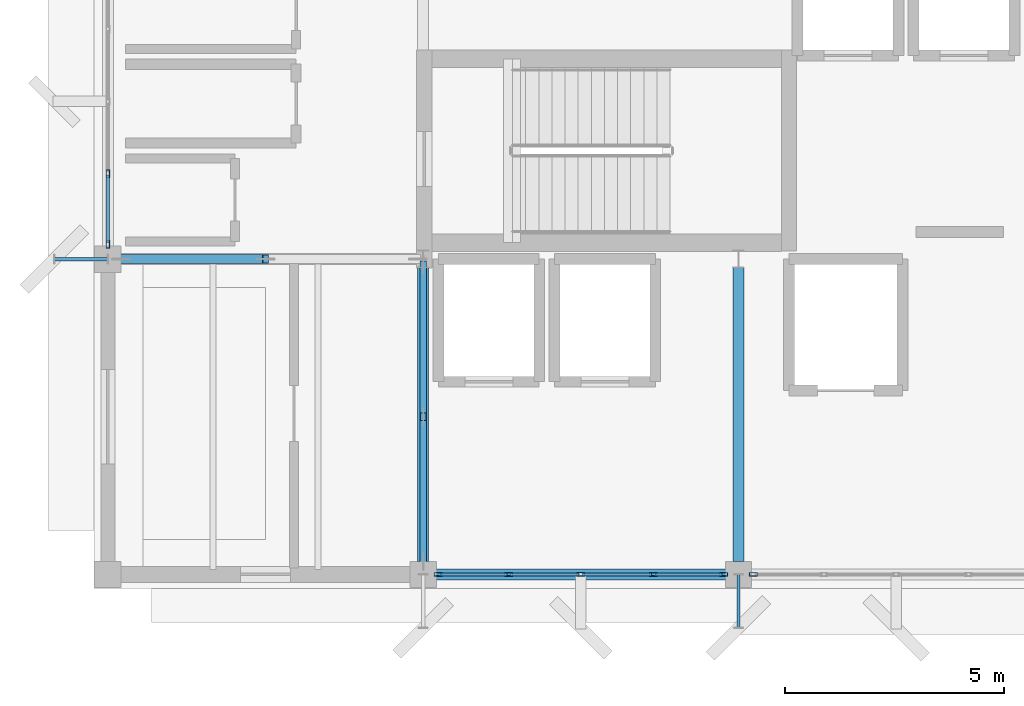
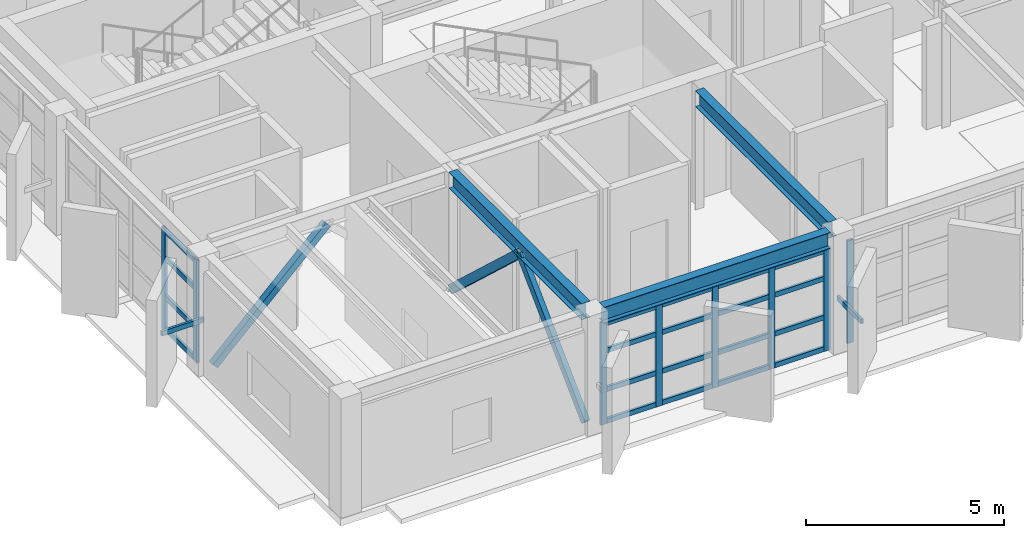
# One storey, part 3 of 16: 33 members, 3 beams, 3 elements without a shape of their own.
"""IFC4 building model written with IfcOpenShell, lengths in metres."""

from ifc_helpers import new_model, si_unit, direction, frame, origin, origin_2d, place, context, subcontext, project, spatial, hollow_rectangle, i_section, extrude, material, layer, layer_set, material_profile, profile_set, type_object, element, aggregate, save


model = new_model("IFC4")

# Units and contexts
model_context = context("Model", 3, precision=1e-05, world=origin(), true_north=direction((0.0, 1.0)))
body_context = subcontext(model_context, "Body", "Model", "MODEL_VIEW")
ifc_project = project(units=[si_unit("LENGTHUNIT", "METRE"), si_unit("AREAUNIT", "SQUARE_METRE"), si_unit("VOLUMEUNIT", "CUBIC_METRE"), si_unit("PLANEANGLEUNIT", "RADIAN"), si_unit("MASSUNIT", "GRAM", prefix="KILO")], contexts=[model_context])

# Site, building, storey
site_placement = place(None, origin())
site = spatial("IfcSite", under=ifc_project, at=site_placement, CompositionType="ELEMENT")
building_placement = place(site_placement, origin())
building = spatial("IfcBuilding", under=site, at=building_placement, Name="Kandorven Conservatory and Botanical Research Centre", CompositionType="ELEMENT")
storey_placement = place(building_placement, frame((0.0, 0.0, 44.39990234375)))
storey = spatial("IfcBuildingStorey", under=building, at=storey_placement, Name="L11", CompositionType="ELEMENT", Elevation=44.39990234375)

# Beams
ifc_material_1 = material(Name="Steel S355 (IS 2062 E350)", Category="steel")
ifc_material_profile_1 = material_profile(ifc_material_1, i_section(OverallWidth=0.25, OverallDepth=0.5, WebThickness=0.010009765625, FlangeThickness=0.0146484375, at=origin_2d()))
ifc_profile_set_1 = profile_set([ifc_material_profile_1], Name="Steel S355 (IS 2062 E350)")
beam_type = type_object("IfcBeamType", Name="Beam_FG-02", PredefinedType="USERDEFINED", material=ifc_profile_set_1)
beam_placement = place(storey_placement, frame((13.489990234375, 6.0, 3.440185546875), z_axis=(1.0, 0.0, 0.0), x_axis=(0.0, 1.0, 0.0)))
element("IfcBeam", 1, at=beam_placement, inside=storey, type_object=beam_type, Name="Primary girder FG-02 TWR L11", ObjectType="GIRDER", PredefinedType="USERDEFINED", context=body_context, shape_type="SweptSolid", body=[
    extrude(i_section(OverallWidth=0.25, OverallDepth=0.5, WebThickness=0.010009765625, FlangeThickness=0.0146484375, at=origin_2d()), origin(), (0.0, 0.0, 1.0), 6.6201171875),
])
for number, where, z_axis, x_axis, name in (
    (2, (13.199951171875, 6.2900390625, 3.440185546875), (0.0, 1.0, 0.0), (-1.0, 0.0, 0.0), "Primary girder FG-02 TWR L11"),
    (3, (20.39990234375, 6.2900390625, 3.440185546875), (0.0, 1.0, 0.0), (-1.0, 0.0, 0.0), "Primary girder FG-02 TWR L11"),
):
    element("IfcBeam", number, at=place(storey_placement, frame(where, z_axis=z_axis, x_axis=x_axis)), inside=storey, type_object=beam_type, Name=name, ObjectType="GIRDER", PredefinedType="USERDEFINED", context=body_context, shape_type="SweptSolid", body=[
        extrude(i_section(OverallWidth=0.25, OverallDepth=0.5, WebThickness=0.010009765625, FlangeThickness=0.0146484375, at=origin_2d()), origin(), (0.0, 0.0, 1.0), 6.719970703125),
    ])

# Curtain wall, members
ifc_material_2 = material(Name="Bronze anodised thermally broken aluminium", Category="aluminium")
ifc_layer = layer(ifc_material_2, 0.179931640625)
ifc_layer_set = layer_set([ifc_layer], Name="Bronze anodised thermally broken aluminium")
curtain_wall_type = type_object("IfcCurtainWallType", Name="CW_Unitised", PredefinedType="USERDEFINED", material=ifc_layer_set)
curtain_wall_1_placement = place(storey_placement, origin())
curtain_wall_1 = element("IfcCurtainWall", 4, at=curtain_wall_1_placement, inside=storey, type_object=curtain_wall_type, Name="Tower laboratory curtain wall CW-TWR-S-L11-2", ObjectType="UNITISED GLAZING", PredefinedType="USERDEFINED")
ifc_material_3 = material(Name="Bronze anodised thermally broken aluminium", Category="aluminium")
ifc_material_profile_2 = material_profile(ifc_material_3, hollow_rectangle(XDim=0.080078125, YDim=0.179931640625, WallThickness=0.006103515625, at=origin_2d()))
ifc_profile_set_2 = profile_set([ifc_material_profile_2], Name="Bronze anodised thermally broken aluminium")
member_type_1 = type_object("IfcMemberType", Name="CW_Mullion", PredefinedType="MULLION", material=ifc_profile_set_2)
member_1_placement = place(storey_placement, frame((13.5400390625, 6.0, 0.0), z_axis=(0.0, 0.0, 1.0), x_axis=(0.0, 1.0, 0.0)))
member_1 = element("IfcMember", 5, at=member_1_placement, type_object=member_type_1, Name="CW-01 mullion 1", PredefinedType="MULLION", context=body_context, shape_type="SweptSolid", body=[
    extrude(hollow_rectangle(XDim=0.080078125, YDim=0.179931640625, WallThickness=0.006103515625, at=origin_2d()), origin(), (0.0, 0.0, 1.0), 3.170166015625),
])
member_2_placement = place(storey_placement, frame((15.14990234375, 6.0, 0.0), z_axis=(0.0, 0.0, 1.0), x_axis=(0.0, 1.0, 0.0)))
member_2 = element("IfcMember", 6, at=member_2_placement, type_object=member_type_1, Name="CW-01 mullion 2", PredefinedType="MULLION", context=body_context, shape_type="SweptSolid", body=[
    extrude(hollow_rectangle(XDim=0.080078125, YDim=0.179931640625, WallThickness=0.006103515625, at=origin_2d()), origin(), (0.0, 0.0, 1.0), 3.170166015625),
])
member_3_placement = place(storey_placement, frame((16.800048828125, 6.0, 0.0), z_axis=(0.0, 0.0, 1.0), x_axis=(0.0, 1.0, 0.0)))
member_3 = element("IfcMember", 7, at=member_3_placement, type_object=member_type_1, Name="CW-01 mullion 3", PredefinedType="MULLION", context=body_context, shape_type="SweptSolid", body=[
    extrude(hollow_rectangle(XDim=0.080078125, YDim=0.179931640625, WallThickness=0.006103515625, at=origin_2d()), origin(), (0.0, 0.0, 1.0), 3.170166015625),
])
member_4_placement = place(storey_placement, frame((18.449951171875, 6.0, 0.0), z_axis=(0.0, 0.0, 1.0), x_axis=(0.0, 1.0, 0.0)))
member_4 = element("IfcMember", 8, at=member_4_placement, type_object=member_type_1, Name="CW-01 mullion 4", PredefinedType="MULLION", context=body_context, shape_type="SweptSolid", body=[
    extrude(hollow_rectangle(XDim=0.080078125, YDim=0.179931640625, WallThickness=0.006103515625, at=origin_2d()), origin(), (0.0, 0.0, 1.0), 3.170166015625),
])
member_5_placement = place(storey_placement, frame((20.06005859375, 6.0, 0.0), z_axis=(0.0, 0.0, 1.0), x_axis=(0.0, 1.0, 0.0)))
member_5 = element("IfcMember", 9, at=member_5_placement, type_object=member_type_1, Name="CW-01 mullion 5", PredefinedType="MULLION", context=body_context, shape_type="SweptSolid", body=[
    extrude(hollow_rectangle(XDim=0.080078125, YDim=0.179931640625, WallThickness=0.006103515625, at=origin_2d()), origin(), (0.0, 0.0, 1.0), 3.170166015625),
])

# Curtain wall, member
curtain_wall_2_placement = place(storey_placement, origin())
curtain_wall_2 = element("IfcCurtainWall", 10, at=curtain_wall_2_placement, inside=storey, type_object=curtain_wall_type, Name="Tower laboratory curtain wall CW-TWR-S-L11-3", ObjectType="UNITISED GLAZING", PredefinedType="USERDEFINED")
member_6_placement = place(storey_placement, frame((20.739990234375, 6.0, 0.0), z_axis=(0.0, 0.0, 1.0), x_axis=(0.0, 1.0, 0.0)))
member_6 = element("IfcMember", 11, at=member_6_placement, type_object=member_type_1, Name="CW-01 mullion 1", PredefinedType="MULLION", context=body_context, shape_type="SweptSolid", body=[
    extrude(hollow_rectangle(XDim=0.080078125, YDim=0.179931640625, WallThickness=0.006103515625, at=origin_2d()), origin(), (0.0, 0.0, 1.0), 3.170166015625),
])
aggregate(curtain_wall_2, [member_6])

# Curtain wall, members
curtain_wall_3_placement = place(storey_placement, origin())
curtain_wall_3 = element("IfcCurtainWall", 12, at=curtain_wall_3_placement, inside=storey, type_object=curtain_wall_type, Name="Tower laboratory curtain wall CW-TWR-W-L11-2", ObjectType="UNITISED GLAZING", PredefinedType="USERDEFINED")
member_7_placement = place(storey_placement, frame((6.0, 13.5400390625, 0.0), z_axis=(0.0, 0.0, 1.0), x_axis=(-1.0, 0.0, 0.0)))
member_7 = element("IfcMember", 13, at=member_7_placement, type_object=member_type_1, Name="CW-01 mullion 1", PredefinedType="MULLION", context=body_context, shape_type="SweptSolid", body=[
    extrude(hollow_rectangle(XDim=0.080078125, YDim=0.179931640625, WallThickness=0.006103515625, at=origin_2d()), origin(), (0.0, 0.0, 1.0), 3.170166015625),
])
member_8_placement = place(storey_placement, frame((6.0, 15.14990234375, 0.0), z_axis=(0.0, 0.0, 1.0), x_axis=(-1.0, 0.0, 0.0)))
member_8 = element("IfcMember", 14, at=member_8_placement, type_object=member_type_1, Name="CW-01 mullion 2", PredefinedType="MULLION", context=body_context, shape_type="SweptSolid", body=[
    extrude(hollow_rectangle(XDim=0.080078125, YDim=0.179931640625, WallThickness=0.006103515625, at=origin_2d()), origin(), (0.0, 0.0, 1.0), 3.170166015625),
])

# Member
ifc_material_4 = material(Name="Bronze anodised thermally broken aluminium", Category="aluminium")
ifc_material_profile_3 = material_profile(ifc_material_4, hollow_rectangle(XDim=0.074951171875, YDim=0.14990234375, WallThickness=0.006103515625, at=origin_2d()))
ifc_profile_set_3 = profile_set([ifc_material_profile_3], Name="Bronze anodised thermally broken aluminium")
member_type_2 = type_object("IfcMemberType", Name="CW_Transom", PredefinedType="USERDEFINED", material=ifc_profile_set_3)
member_9_placement = place(storey_placement, frame((13.580078125, 6.0, 0.0751953125), z_axis=(1.0, 0.0, 0.0), x_axis=(0.0, 1.0, 0.0)))
member_9 = element("IfcMember", 15, at=member_9_placement, type_object=member_type_2, Name="CW-01 transom 1.1", ObjectType="TRANSOM", PredefinedType="USERDEFINED", context=body_context, shape_type="SweptSolid", body=[
    extrude(hollow_rectangle(XDim=0.074951171875, YDim=0.14990234375, WallThickness=0.006103515625, at=origin_2d()), origin(), (0.0, 0.0, 1.0), 1.530029296875),
])

member_10_placement = place(storey_placement, frame((13.580078125, 6.0, 1.050048828125), z_axis=(1.0, 0.0, 0.0), x_axis=(0.0, 1.0, 0.0)))
member_10 = element("IfcMember", 16, at=member_10_placement, type_object=member_type_2, Name="CW-01 transom 1.2", ObjectType="TRANSOM", PredefinedType="USERDEFINED", context=body_context, shape_type="SweptSolid", body=[
    extrude(hollow_rectangle(XDim=0.074951171875, YDim=0.14990234375, WallThickness=0.006103515625, at=origin_2d()), origin(), (0.0, 0.0, 1.0), 1.530029296875),
])

member_11_placement = place(storey_placement, frame((13.580078125, 6.0, 2.25), z_axis=(1.0, 0.0, 0.0), x_axis=(0.0, 1.0, 0.0)))
member_11 = element("IfcMember", 17, at=member_11_placement, type_object=member_type_2, Name="CW-01 transom 1.3", ObjectType="TRANSOM", PredefinedType="USERDEFINED", context=body_context, shape_type="SweptSolid", body=[
    extrude(hollow_rectangle(XDim=0.074951171875, YDim=0.14990234375, WallThickness=0.006103515625, at=origin_2d()), origin(), (0.0, 0.0, 1.0), 1.530029296875),
])

member_12_placement = place(storey_placement, frame((13.580078125, 6.0, 3.09521484375), z_axis=(1.0, 0.0, 0.0), x_axis=(0.0, 1.0, 0.0)))
member_12 = element("IfcMember", 18, at=member_12_placement, type_object=member_type_2, Name="CW-01 transom 1.4", ObjectType="TRANSOM", PredefinedType="USERDEFINED", context=body_context, shape_type="SweptSolid", body=[
    extrude(hollow_rectangle(XDim=0.074951171875, YDim=0.14990234375, WallThickness=0.006103515625, at=origin_2d()), origin(), (0.0, 0.0, 1.0), 1.530029296875),
])

member_13_placement = place(storey_placement, frame((15.18994140625, 6.0, 0.0751953125), z_axis=(1.0, 0.0, 0.0), x_axis=(0.0, 1.0, 0.0)))
member_13 = element("IfcMember", 19, at=member_13_placement, type_object=member_type_2, Name="CW-01 transom 2.1", ObjectType="TRANSOM", PredefinedType="USERDEFINED", context=body_context, shape_type="SweptSolid", body=[
    extrude(hollow_rectangle(XDim=0.074951171875, YDim=0.14990234375, WallThickness=0.006103515625, at=origin_2d()), origin(), (0.0, 0.0, 1.0), 1.570068359375),
])

member_14_placement = place(storey_placement, frame((15.18994140625, 6.0, 1.050048828125), z_axis=(1.0, 0.0, 0.0), x_axis=(0.0, 1.0, 0.0)))
member_14 = element("IfcMember", 20, at=member_14_placement, type_object=member_type_2, Name="CW-01 transom 2.2", ObjectType="TRANSOM", PredefinedType="USERDEFINED", context=body_context, shape_type="SweptSolid", body=[
    extrude(hollow_rectangle(XDim=0.074951171875, YDim=0.14990234375, WallThickness=0.006103515625, at=origin_2d()), origin(), (0.0, 0.0, 1.0), 1.570068359375),
])

member_15_placement = place(storey_placement, frame((15.18994140625, 6.0, 2.25), z_axis=(1.0, 0.0, 0.0), x_axis=(0.0, 1.0, 0.0)))
member_15 = element("IfcMember", 21, at=member_15_placement, type_object=member_type_2, Name="CW-01 transom 2.3", ObjectType="TRANSOM", PredefinedType="USERDEFINED", context=body_context, shape_type="SweptSolid", body=[
    extrude(hollow_rectangle(XDim=0.074951171875, YDim=0.14990234375, WallThickness=0.006103515625, at=origin_2d()), origin(), (0.0, 0.0, 1.0), 1.570068359375),
])

member_16_placement = place(storey_placement, frame((15.18994140625, 6.0, 3.09521484375), z_axis=(1.0, 0.0, 0.0), x_axis=(0.0, 1.0, 0.0)))
member_16 = element("IfcMember", 22, at=member_16_placement, type_object=member_type_2, Name="CW-01 transom 2.4", ObjectType="TRANSOM", PredefinedType="USERDEFINED", context=body_context, shape_type="SweptSolid", body=[
    extrude(hollow_rectangle(XDim=0.074951171875, YDim=0.14990234375, WallThickness=0.006103515625, at=origin_2d()), origin(), (0.0, 0.0, 1.0), 1.570068359375),
])

member_17_placement = place(storey_placement, frame((16.840087890625, 6.0, 0.0751953125), z_axis=(1.0, 0.0, 0.0), x_axis=(0.0, 1.0, 0.0)))
member_17 = element("IfcMember", 23, at=member_17_placement, type_object=member_type_2, Name="CW-01 transom 3.1", ObjectType="TRANSOM", PredefinedType="USERDEFINED", context=body_context, shape_type="SweptSolid", body=[
    extrude(hollow_rectangle(XDim=0.074951171875, YDim=0.14990234375, WallThickness=0.006103515625, at=origin_2d()), origin(), (0.0, 0.0, 1.0), 1.56982421875),
])

member_18_placement = place(storey_placement, frame((16.840087890625, 6.0, 1.050048828125), z_axis=(1.0, 0.0, 0.0), x_axis=(0.0, 1.0, 0.0)))
member_18 = element("IfcMember", 24, at=member_18_placement, type_object=member_type_2, Name="CW-01 transom 3.2", ObjectType="TRANSOM", PredefinedType="USERDEFINED", context=body_context, shape_type="SweptSolid", body=[
    extrude(hollow_rectangle(XDim=0.074951171875, YDim=0.14990234375, WallThickness=0.006103515625, at=origin_2d()), origin(), (0.0, 0.0, 1.0), 1.56982421875),
])

member_19_placement = place(storey_placement, frame((16.840087890625, 6.0, 2.25), z_axis=(1.0, 0.0, 0.0), x_axis=(0.0, 1.0, 0.0)))
member_19 = element("IfcMember", 25, at=member_19_placement, type_object=member_type_2, Name="CW-01 transom 3.3", ObjectType="TRANSOM", PredefinedType="USERDEFINED", context=body_context, shape_type="SweptSolid", body=[
    extrude(hollow_rectangle(XDim=0.074951171875, YDim=0.14990234375, WallThickness=0.006103515625, at=origin_2d()), origin(), (0.0, 0.0, 1.0), 1.56982421875),
])

member_20_placement = place(storey_placement, frame((16.840087890625, 6.0, 3.09521484375), z_axis=(1.0, 0.0, 0.0), x_axis=(0.0, 1.0, 0.0)))
member_20 = element("IfcMember", 26, at=member_20_placement, type_object=member_type_2, Name="CW-01 transom 3.4", ObjectType="TRANSOM", PredefinedType="USERDEFINED", context=body_context, shape_type="SweptSolid", body=[
    extrude(hollow_rectangle(XDim=0.074951171875, YDim=0.14990234375, WallThickness=0.006103515625, at=origin_2d()), origin(), (0.0, 0.0, 1.0), 1.56982421875),
])

member_21_placement = place(storey_placement, frame((18.489990234375, 6.0, 0.0751953125), z_axis=(1.0, 0.0, 0.0), x_axis=(0.0, 1.0, 0.0)))
member_21 = element("IfcMember", 27, at=member_21_placement, type_object=member_type_2, Name="CW-01 transom 4.1", ObjectType="TRANSOM", PredefinedType="USERDEFINED", context=body_context, shape_type="SweptSolid", body=[
    extrude(hollow_rectangle(XDim=0.074951171875, YDim=0.14990234375, WallThickness=0.006103515625, at=origin_2d()), origin(), (0.0, 0.0, 1.0), 1.530029296875),
])

member_22_placement = place(storey_placement, frame((18.489990234375, 6.0, 1.050048828125), z_axis=(1.0, 0.0, 0.0), x_axis=(0.0, 1.0, 0.0)))
member_22 = element("IfcMember", 28, at=member_22_placement, type_object=member_type_2, Name="CW-01 transom 4.2", ObjectType="TRANSOM", PredefinedType="USERDEFINED", context=body_context, shape_type="SweptSolid", body=[
    extrude(hollow_rectangle(XDim=0.074951171875, YDim=0.14990234375, WallThickness=0.006103515625, at=origin_2d()), origin(), (0.0, 0.0, 1.0), 1.530029296875),
])

member_23_placement = place(storey_placement, frame((18.489990234375, 6.0, 2.25), z_axis=(1.0, 0.0, 0.0), x_axis=(0.0, 1.0, 0.0)))
member_23 = element("IfcMember", 29, at=member_23_placement, type_object=member_type_2, Name="CW-01 transom 4.3", ObjectType="TRANSOM", PredefinedType="USERDEFINED", context=body_context, shape_type="SweptSolid", body=[
    extrude(hollow_rectangle(XDim=0.074951171875, YDim=0.14990234375, WallThickness=0.006103515625, at=origin_2d()), origin(), (0.0, 0.0, 1.0), 1.530029296875),
])

member_24_placement = place(storey_placement, frame((18.489990234375, 6.0, 3.09521484375), z_axis=(1.0, 0.0, 0.0), x_axis=(0.0, 1.0, 0.0)))
member_24 = element("IfcMember", 30, at=member_24_placement, type_object=member_type_2, Name="CW-01 transom 4.4", ObjectType="TRANSOM", PredefinedType="USERDEFINED", context=body_context, shape_type="SweptSolid", body=[
    extrude(hollow_rectangle(XDim=0.074951171875, YDim=0.14990234375, WallThickness=0.006103515625, at=origin_2d()), origin(), (0.0, 0.0, 1.0), 1.530029296875),
])

aggregate(curtain_wall_1, [member_1, member_2, member_3, member_4, member_5, member_9, member_10, member_11, member_12, member_13, member_14, member_15, member_16, member_17, member_18, member_19, member_20, member_21, member_22, member_23, member_24])

member_25_placement = place(storey_placement, frame((6.0, 13.580078125, 0.0751953125), z_axis=(0.0, 1.0, 0.0), x_axis=(-1.0, 0.0, 0.0)))
member_25 = element("IfcMember", 31, at=member_25_placement, type_object=member_type_2, Name="CW-01 transom 1.1", ObjectType="TRANSOM", PredefinedType="USERDEFINED", context=body_context, shape_type="SweptSolid", body=[
    extrude(hollow_rectangle(XDim=0.074951171875, YDim=0.14990234375, WallThickness=0.006103515625, at=origin_2d()), origin(), (0.0, 0.0, 1.0), 1.530029296875),
])

member_26_placement = place(storey_placement, frame((6.0, 13.580078125, 1.050048828125), z_axis=(0.0, 1.0, 0.0), x_axis=(-1.0, 0.0, 0.0)))
member_26 = element("IfcMember", 32, at=member_26_placement, type_object=member_type_2, Name="CW-01 transom 1.2", ObjectType="TRANSOM", PredefinedType="USERDEFINED", context=body_context, shape_type="SweptSolid", body=[
    extrude(hollow_rectangle(XDim=0.074951171875, YDim=0.14990234375, WallThickness=0.006103515625, at=origin_2d()), origin(), (0.0, 0.0, 1.0), 1.530029296875),
])

member_27_placement = place(storey_placement, frame((6.0, 13.580078125, 2.25), z_axis=(0.0, 1.0, 0.0), x_axis=(-1.0, 0.0, 0.0)))
member_27 = element("IfcMember", 33, at=member_27_placement, type_object=member_type_2, Name="CW-01 transom 1.3", ObjectType="TRANSOM", PredefinedType="USERDEFINED", context=body_context, shape_type="SweptSolid", body=[
    extrude(hollow_rectangle(XDim=0.074951171875, YDim=0.14990234375, WallThickness=0.006103515625, at=origin_2d()), origin(), (0.0, 0.0, 1.0), 1.530029296875),
])

member_28_placement = place(storey_placement, frame((6.0, 13.580078125, 3.09521484375), z_axis=(0.0, 1.0, 0.0), x_axis=(-1.0, 0.0, 0.0)))
member_28 = element("IfcMember", 34, at=member_28_placement, type_object=member_type_2, Name="CW-01 transom 1.4", ObjectType="TRANSOM", PredefinedType="USERDEFINED", context=body_context, shape_type="SweptSolid", body=[
    extrude(hollow_rectangle(XDim=0.074951171875, YDim=0.14990234375, WallThickness=0.006103515625, at=origin_2d()), origin(), (0.0, 0.0, 1.0), 1.530029296875),
])

aggregate(curtain_wall_3, [member_7, member_8, member_25, member_26, member_27, member_28])

# Members
ifc_material_5 = material(Name="Steel S355 (IS 2062 E350)", Category="steel")
ifc_material_profile_4 = material_profile(ifc_material_5, hollow_rectangle(XDim=0.199951171875, YDim=0.199951171875, WallThickness=0.010009765625, at=origin_2d()))
ifc_profile_set_4 = profile_set([ifc_material_profile_4], Name="Steel S355 (IS 2062 E350)")
member_type_3 = type_object("IfcMemberType", Name="Mem_BR-03", PredefinedType="BRACE", material=ifc_profile_set_4)
member_29_placement = place(storey_placement, frame((6.300048828125, 13.199951171875, 0.0), z_axis=(0.715710937248, 0.0, 0.69839663108), x_axis=(0.0, 1.0, 0.0)))
element("IfcMember", 35, at=member_29_placement, inside=storey, type_object=member_type_3, Name="Tower lateral chevron brace BR-03 L11 W", PredefinedType="BRACE", context=body_context, shape_type="SweptSolid", body=[
    extrude(hollow_rectangle(XDim=0.199951171875, YDim=0.199951171875, WallThickness=0.010009765625, at=origin_2d()), origin(), (0.0, 0.0, 1.0), 4.61083984375),
])
ifc_material_6 = material(Name="Steel S355 (IS 2062 E350)", Category="steel")
ifc_material_profile_5 = material_profile(ifc_material_6, hollow_rectangle(XDim=0.14990234375, YDim=0.25, WallThickness=0.010009765625, at=origin_2d()))
ifc_profile_set_5 = profile_set([ifc_material_profile_5], Name="Steel S355 (IS 2062 E350)")
member_type_4 = type_object("IfcMemberType", Name="Mem_BR-04", PredefinedType="BRACE", material=ifc_profile_set_5)
member_30_placement = place(storey_placement, frame((13.199951171875, 6.300048828125, 0.0), z_axis=(0.0, 0.715710937248, 0.69839663108), x_axis=(-1.0, 0.0, 0.0)))
element("IfcMember", 36, at=member_30_placement, inside=storey, type_object=member_type_4, Name="Tower lateral chevron brace BR-04 L11 S", PredefinedType="BRACE", context=body_context, shape_type="SweptSolid", body=[
    extrude(hollow_rectangle(XDim=0.14990234375, YDim=0.25, WallThickness=0.010009765625, at=origin_2d()), origin(), (0.0, 0.0, 1.0), 4.61083984375),
])
member_31_placement = place(storey_placement, frame((13.199951171875, 13.074951171875, 0.0), z_axis=(0.0, -0.733470400452, 0.679721392676), x_axis=(1.0, 0.0, 0.0)))
element("IfcMember", 37, at=member_31_placement, inside=storey, type_object=member_type_4, Name="Tower lateral chevron brace BR-04 L11 N", PredefinedType="BRACE", context=body_context, shape_type="SweptSolid", body=[
    extrude(hollow_rectangle(XDim=0.14990234375, YDim=0.25, WallThickness=0.010009765625, at=origin_2d()), origin(), (0.0, 0.0, 1.0), 4.737548828125),
])
ifc_material_7 = material(Name="Steel S355 (IS 2062 E350)", Category="steel")
ifc_material_profile_6 = material_profile(ifc_material_7, hollow_rectangle(XDim=0.074951171875, YDim=0.14990234375, WallThickness=0.006103515625, at=origin_2d()))
ifc_profile_set_6 = profile_set([ifc_material_profile_6], Name="Steel S355 (IS 2062 E350)")
member_type_5 = type_object("IfcMemberType", Name="Mem_SF-01", PredefinedType="STRUT", material=ifc_profile_set_6)
for number, where, z_axis, x_axis, name in (
    (38, (20.39990234375, 6.0, 1.5), (0.0, -1.0, 0.0), (1.0, 0.0, 0.0), "Solar fin steel outrigger strut SF-01 #87"),
    (39, (6.0, 13.199951171875, 1.5), (-1.0, 0.0, 0.0), (0.0, -1.0, 0.0), "Solar fin steel outrigger strut SF-01 #89"),
):
    element("IfcMember", number, at=place(storey_placement, frame(where, z_axis=z_axis, x_axis=x_axis)), inside=storey, type_object=member_type_5, Name=name, PredefinedType="STRUT", context=body_context, shape_type="SweptSolid", body=[
        extrude(hollow_rectangle(XDim=0.074951171875, YDim=0.14990234375, WallThickness=0.006103515625, at=origin_2d()), origin(), (0.0, 0.0, 1.0), 1.219970703125),
    ])

save(model, "model.ifc")
